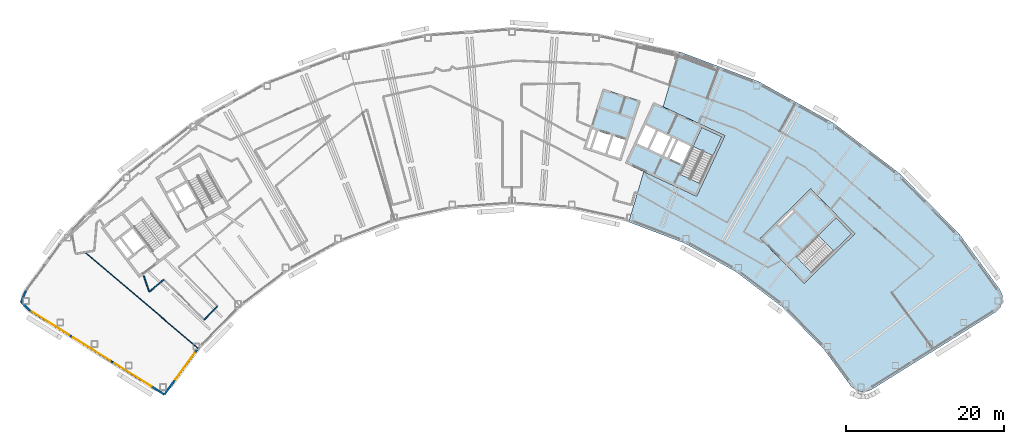
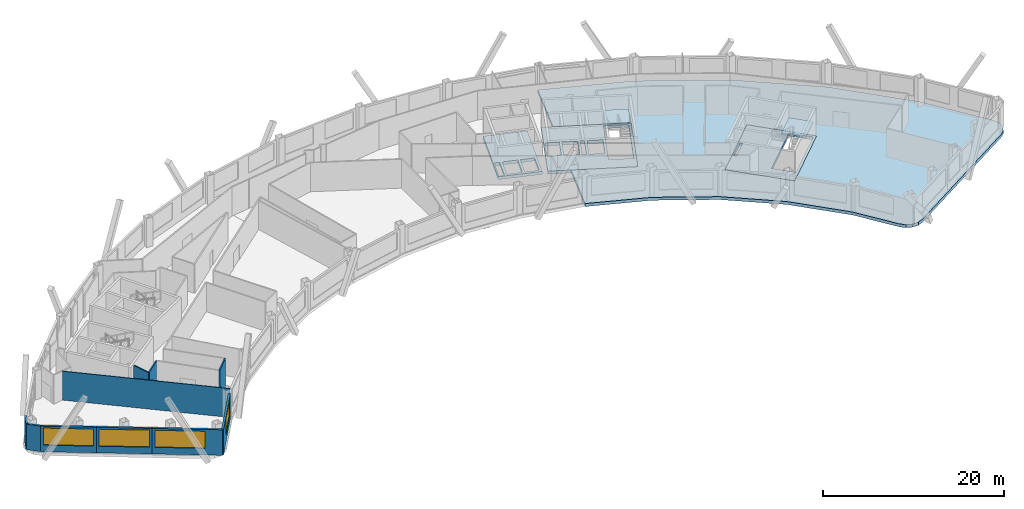
# One storey, part 4 of 13: 10 walls, 6 slabs, 4 windows, 4 openings, 2 elements without a shape of their own.
"""IFC4 building model written with IfcOpenShell, lengths in metres."""

from ifc_helpers import new_model, si_unit, direction, frame, frame_2d, origin, place, context, subcontext, project, spatial, polyline, rectangle, outline, extrude, material, layer, layer_set, type_object, element, fill, aggregate, save


model = new_model("IFC4")

# Units and contexts
model_context = context("Model", 3, precision=1e-05, world=origin(), true_north=direction((0.0, 1.0)))
body_context = subcontext(model_context, "Body", "Model", "MODEL_VIEW")
ifc_project = project(units=[si_unit("LENGTHUNIT", "METRE"), si_unit("AREAUNIT", "SQUARE_METRE"), si_unit("VOLUMEUNIT", "CUBIC_METRE"), si_unit("PLANEANGLEUNIT", "RADIAN"), si_unit("MASSUNIT", "GRAM", prefix="KILO")], contexts=[model_context])

# Site, building, storey
site_placement = place(None, origin())
site = spatial("IfcSite", under=ifc_project, at=site_placement, CompositionType="ELEMENT")
building_placement = place(site_placement, origin())
building = spatial("IfcBuilding", under=site, at=building_placement, Name="Tuul Gate Civic Tower", CompositionType="ELEMENT")
storey_placement = place(building_placement, frame((0.0, 0.0, 248.39990234375)))
storey = spatial("IfcBuildingStorey", under=building, at=storey_placement, Name="Level 56", CompositionType="ELEMENT", Elevation=248.39990234375)

# Slabs
ifc_material_1 = material(Name="Concrete C40/50", Category="concrete")
ifc_layer_1 = layer(ifc_material_1, 0.39990234375)
ifc_layer_set_1 = layer_set([ifc_layer_1], Name="Concrete C40/50")
slab_type_1 = type_object("IfcSlabType", Name="Core floor slab 400", PredefinedType="FLOOR", material=ifc_layer_set_1)
slab_1_placement = place(storey_placement, frame((0.0, 0.0, -0.400146484375)))
element("IfcSlab", 1, at=slab_1_placement, inside=storey, type_object=slab_type_1, Name="FLOOR SLAB", PredefinedType="FLOOR", context=body_context, shape_type="SweptSolid", body=[
    extrude(outline(polyline([(48.117919921875, -18.43310546875), (54.545166015625, -12.1328125), (48.945068359375, -6.419921875), (42.517822265625, -12.719970703125), (48.117919921875, -18.43310546875)]), holes=[polyline([(44.93896484375, -11.046875), (46.760009765625, -9.261962890625), (46.514892578125, -9.011962890625), (44.69384765625, -10.797119140625), (44.93896484375, -11.046875)]), polyline([(49.086181640625, -17.062744140625), (47.12744140625, -15.064208984375), (52.160888671875, -10.130126953125), (54.11962890625, -12.128662109375), (49.086181640625, -17.062744140625)])]), origin(), (0.0, 0.0, 1.0), 0.400146484375),
])
slab_2_placement = place(storey_placement, frame((0.0, 0.0, -0.400146484375)))
element("IfcSlab", 2, at=slab_2_placement, inside=storey, type_object=slab_type_1, Name="FLOOR SLAB", PredefinedType="FLOOR", context=body_context, shape_type="SweptSolid", body=[
    extrude(outline(polyline([(34.465087890625, -7.385986328125), (38.056884765625, 0.31787109375), (28.993896484375, 4.543701171875), (25.40185546875, -3.159912109375), (34.465087890625, -7.385986328125)]), holes=[polyline([(32.60888671875, -3.32080078125), (33.6865234375, -1.009765625), (32.1005859375, -0.27001953125), (31.02294921875, -2.581298828125), (32.60888671875, -3.32080078125)]), polyline([(30.0712890625, -2.137451171875), (31.14892578125, 0.173583984375), (29.562744140625, 0.9130859375), (28.4853515625, -1.39794921875), (30.0712890625, -2.137451171875)]), polyline([(30.751220703125, -2.454345703125), (31.82861328125, -0.143310546875), (31.4208984375, 0.046875), (30.34326171875, -2.264404296875), (30.751220703125, -2.454345703125)]), polyline([(28.21337890625, -1.27099609375), (29.291015625, 1.0400390625), (27.8408203125, 1.71630859375), (26.76318359375, -0.594970703125), (28.21337890625, -1.27099609375)]), polyline([(34.889892578125, -5.7626953125), (32.353759765625, -4.580078125), (35.120849609375, 1.354736328125), (37.6572265625, 0.17236328125), (34.889892578125, -5.7626953125)])]), origin(), (0.0, 0.0, 1.0), 0.400146484375),
])
ifc_material_2 = material(Name="Concrete C40/50", Category="concrete")
ifc_layer_2 = layer(ifc_material_2, 0.39990234375)
ifc_layer_set_2 = layer_set([ifc_layer_2], Name="Concrete C40/50")
slab_type_2 = type_object("IfcSlabType", Name="Core floor slab 400 non-bearing", PredefinedType="FLOOR", material=ifc_layer_set_2)
slab_3_placement = place(storey_placement, frame((0.0, 0.0, -0.400146484375)))
element("IfcSlab", 3, at=slab_3_placement, inside=storey, type_object=slab_type_2, Name="FLOOR SLAB", PredefinedType="FLOOR", context=body_context, shape_type="SweptSolid", body=[
    extrude(outline(polyline([(24.864990234375, -2.888916015625), (27.337890625, 4.71923828125), (22.58251953125, 6.264404296875), (20.109619140625, -1.343994140625), (24.864990234375, -2.888916015625)]), holes=[polyline([(24.67236328125, -2.510986328125), (25.414306640625, -0.228515625), (23.892578125, 0.265869140625), (23.150634765625, -2.0166015625), (24.67236328125, -2.510986328125)]), polyline([(22.865478515625, -1.923828125), (23.607177734375, 0.358642578125), (21.94287109375, 0.8994140625), (21.201171875, -1.383056640625), (22.865478515625, -1.923828125)]), polyline([(20.869384765625, -1.43310546875), (21.65771484375, 0.9921875), (21.0869140625, 1.177490234375), (20.298583984375, -1.24755859375), (20.869384765625, -1.43310546875)])]), origin(), (0.0, 0.0, 1.0), 0.400146484375),
])

# Stair, slab
ifc_material_3 = material(Name="Concrete C40/50", Category="concrete")
stair_type = type_object("IfcStairType", Name="Exit stair", PredefinedType="HALF_TURN_STAIR", material=ifc_material_3)
stair_1_placement = place(storey_placement, origin())
stair_1 = element("IfcStair", 4, at=stair_1_placement, inside=storey, type_object=stair_type, Name="Level 56 ST-3", PredefinedType="HALF_TURN_STAIR")
ifc_material_4 = material(Name="Concrete C40/50", Category="concrete")
ifc_layer_3 = layer(ifc_material_4, 0.199951171875)
ifc_layer_set_3 = layer_set([ifc_layer_3], Name="Concrete C40/50")
slab_type_3 = type_object("IfcSlabType", Name="Exit stair landing", PredefinedType="LANDING", material=ifc_layer_set_3)
slab_4_placement = place(storey_placement, frame((0.0, 0.0, 1.900146484375)))
slab_4 = element("IfcSlab", 5, at=slab_4_placement, type_object=slab_type_3, Name="ST-3 landing 1", PredefinedType="LANDING", context=body_context, shape_type="SweptSolid", body=[
    extrude(outline(polyline([(51.871337890625, -14.3349609375), (49.91015625, -12.334228515625), (52.160888671875, -10.1279296875), (54.1220703125, -12.128662109375), (51.871337890625, -14.3349609375)])), origin(), (0.0, 0.0, 1.0), 0.199951171875),
])
aggregate(stair_1, [slab_4])

stair_2_placement = place(storey_placement, origin())
stair_2 = element("IfcStair", 6, at=stair_2_placement, inside=storey, type_object=stair_type, Name="Level 56 ST-4", PredefinedType="HALF_TURN_STAIR")
slab_5_placement = place(storey_placement, frame((0.0, 0.0, 1.900146484375)))
slab_5 = element("IfcSlab", 7, at=slab_5_placement, type_object=slab_type_3, Name="ST-4 landing 1", PredefinedType="LANDING", context=body_context, shape_type="SweptSolid", body=[
    extrude(outline(polyline([(36.538818359375, -2.230224609375), (33.999755859375, -1.046142578125), (35.1201171875, 1.35693359375), (37.659423828125, 0.173095703125), (36.538818359375, -2.230224609375)])), origin(), (0.0, 0.0, 1.0), 0.199951171875),
])
aggregate(stair_2, [slab_5])

# Slab
ifc_material_5 = material(Name="Concrete C35/45", Category="concrete")
ifc_layer_4 = layer(ifc_material_5, 0.39990234375)
ifc_layer_set_4 = layer_set([ifc_layer_4], Name="Concrete C35/45")
slab_type_4 = type_object("IfcSlabType", Name="STR-FLOOR-SLAB-400", PredefinedType="FLOOR", material=ifc_layer_set_4)
slab_6_placement = place(storey_placement, frame((0.0, 0.0, -0.400146484375)))
element("IfcSlab", 8, at=slab_6_placement, inside=storey, type_object=slab_type_4, Name="Level 56/slab/E", PredefinedType="FLOOR", context=body_context, shape_type="SweptSolid", body=[
    extrude(outline(polyline([(55.962890625, -32.18408203125), (56.656982421875, -31.9140625), (72.386962890625, -22.0849609375), (72.97607421875, -21.52001953125), (73.291015625, -20.76806640625), (73.279052734375, -19.951904296875), (72.94189453125, -19.208984375), (67.862060546875, -12.2529296875), (60.325927734375, -4.56591796875), (51.761962890625, 1.955078125), (42.347900390625, 7.174072265625), (32.279052734375, 10.98095703125), (30.197021484375, 3.98291015625), (38.056884765625, 0.318115234375), (34.465087890625, -7.385986328125), (27.74609375, -4.2529296875), (25.844970703125, -10.64111328125), (32.864990234375, -13.294921875), (39.428955078125, -16.93408203125), (45.39990234375, -21.47998046875), (50.653076171875, -26.839111328125), (53.98193359375, -31.39697265625), (54.52587890625, -31.906982421875), (55.218017578125, -32.181884765625), (55.962890625, -32.18408203125)]), holes=[polyline([(48.117919921875, -18.43310546875), (42.51806640625, -12.719970703125), (48.945068359375, -6.419921875), (54.544921875, -12.133056640625), (48.117919921875, -18.43310546875)])]), origin(), (0.0, 0.0, 1.0), 0.400146484375),
])

# Walls
ifc_material_6 = material(Name="Gypsum board partition")
ifc_layer_5 = layer(ifc_material_6, 0.14990234375)
ifc_layer_set_5 = layer_set([ifc_layer_5], Name="Gypsum board partition")
wall_type_1 = type_object("IfcWallType", Name="Corridor wall P150", PredefinedType="PARTITIONING", material=ifc_layer_set_5)
wall_1_placement = place(storey_placement, frame((-35.001708984375, -19.499755859375, 0.0), z_axis=(0.0, 0.0, 1.0), x_axis=(0.766360951532, 0.642410220939, 0.0)))
element("IfcWall", 9, at=wall_1_placement, inside=storey, type_object=wall_type_1, Name="p059", PredefinedType="PARTITIONING", context=body_context, shape_type="SweptSolid", body=[
    extrude(rectangle(XDim=2.403076171875, YDim=0.14990234375, at=frame_2d((1.20166015625, 0.0))), origin(), (0.0, 0.0, 1.0), 3.900146484375),
])
wall_2_placement = place(storey_placement, frame((-35.696044921875, -17.4775390625, 0.0), z_axis=(0.0, 0.0, 1.0), x_axis=(0.324540359242, -0.94587184926, 0.0)))
element("IfcWall", 10, at=wall_2_placement, inside=storey, type_object=wall_type_1, Name="p076", PredefinedType="PARTITIONING", context=body_context, shape_type="SweptSolid", body=[
    extrude(rectangle(XDim=2.137939453125, YDim=0.14990234375, at=frame_2d((1.06884765625, 0.0))), origin(), (0.0, 0.0, 1.0), 3.900146484375),
])
wall_3_placement = place(storey_placement, frame((-28.0419921875, -23.047607421875, 0.0), z_axis=(0.0, 0.0, 1.0), x_axis=(0.707106781187, 0.707106781187, 0.0)))
element("IfcWall", 11, at=wall_3_placement, inside=storey, type_object=wall_type_1, Name="p078", PredefinedType="PARTITIONING", context=body_context, shape_type="SweptSolid", body=[
    extrude(rectangle(XDim=2.39892578125, YDim=0.14990234375, at=frame_2d((1.199462890625, 0.0))), origin(), (0.0, 0.0, 1.0), 3.900146484375),
])
ifc_material_7 = material(Name="Precast concrete C40/50", Category="concrete")
ifc_layer_6 = layer(ifc_material_7, 0.25)
ifc_layer_set_6 = layer_set([ifc_layer_6], Name="Precast concrete C40/50")
wall_type_2 = type_object("IfcWallType", Name="External wall", PredefinedType="STANDARD", material=ifc_layer_set_6)
wall_4_placement = place(storey_placement, frame((-50.645263671875, -19.3486328125, 0.0), z_axis=(0.0, 0.0, 1.0), x_axis=(-0.412995937313, -0.9107328674, 0.0)))
element("IfcWall", 12, at=wall_4_placement, inside=storey, type_object=wall_type_2, Name="External wall", PredefinedType="STANDARD", context=body_context, shape_type="SweptSolid", body=[
    extrude(rectangle(XDim=1.572998046875, YDim=0.25, at=frame_2d((0.78662109375, 0.0))), origin(), (0.0, 0.0, 1.0), 3.4501953125),
])
wall_5_placement = place(storey_placement, frame((-51.294921875, -20.78125, 0.0), z_axis=(0.0, 0.0, 1.0), x_axis=(0.722783622894, -0.69107440589, 0.0)))
element("IfcWall", 13, at=wall_5_placement, inside=storey, type_object=wall_type_2, Name="External wall", PredefinedType="STANDARD", context=body_context, shape_type="SweptSolid", body=[
    extrude(rectangle(XDim=1.570556640625, YDim=0.25, at=frame_2d((0.78515625, 0.0))), origin(), (0.0, 0.0, 1.0), 3.4501953125),
])

# Wall, opening, window
wall_6_placement = place(storey_placement, frame((-50.1796875, -21.85107421875, 0.0), z_axis=(0.0, 0.0, 1.0), x_axis=(0.848024923451, -0.529956346509, 0.0)))
wall_6 = element("IfcWall", 14, at=wall_6_placement, inside=storey, type_object=wall_type_2, Name="External wall", PredefinedType="STANDARD", context=body_context, shape_type="SweptSolid", body=[
    extrude(rectangle(XDim=6.182861328125, YDim=0.25, at=frame_2d((3.09130859375, 0.0))), origin(), (0.0, 0.0, 1.0), 3.4501953125),
])
opening_1_placement = place(wall_6_placement, frame((0.31640625, 0.0, 0.89990234375)))
opening_1 = element("IfcOpeningElement", 15, at=opening_1_placement, cuts=wall_6, Name="Opening W24", PredefinedType="OPENING", context=body_context, shape_type="SweptSolid", body=[
    extrude(rectangle(XDim=5.550048828125, YDim=2.300048828125, at=frame_2d((2.77490234375, 1.14990234375))), frame((0.0, 0.135009765625, 0.0), z_axis=(0.0, -1.0, 0.0), x_axis=(1.0, 0.0, 0.0)), (0.0, 0.0, 1.0), 0.27001953125),
])
ifc_material_8 = material(Name="Glass", Category="glass")
window_type_1 = type_object("IfcWindowType", Name="Window W24 5550 x 2300", PartitioningType="SINGLE_PANEL", PredefinedType="WINDOW", material=ifc_material_8)
window_1_placement = place(opening_1_placement, origin())
window_1 = element("IfcWindow", 16, at=window_1_placement, inside=storey, type_object=window_type_1, Name="Window", OverallHeight=2.300048828125, OverallWidth=5.550048828125, PartitioningType="SINGLE_PANEL", PredefinedType="WINDOW", context=body_context, shape_type="SweptSolid", body=[
    extrude(rectangle(XDim=5.550048828125, YDim=2.300048828125, at=frame_2d((2.77490234375, 1.14990234375))), frame((0.0, 0.030029296875, 0.0), z_axis=(0.0, -1.0, 0.0), x_axis=(1.0, 0.0, 0.0)), (0.0, 0.0, 1.0), 0.06005859375),
])
fill(opening_1, window_1)

wall_7_placement = place(storey_placement, frame((-44.9365234375, -25.127685546875, 0.0), z_axis=(0.0, 0.0, 1.0), x_axis=(0.848036012993, -0.529938600846, 0.0)))
wall_7 = element("IfcWall", 17, at=wall_7_placement, inside=storey, type_object=wall_type_2, Name="External wall", PredefinedType="STANDARD", context=body_context, shape_type="SweptSolid", body=[
    extrude(rectangle(XDim=6.18310546875, YDim=0.25, at=frame_2d((3.091552734375, 0.0))), origin(), (0.0, 0.0, 1.0), 3.4501953125),
])
opening_2_placement = place(wall_7_placement, frame((0.31640625, 0.0, 0.89990234375)))
opening_2 = element("IfcOpeningElement", 18, at=opening_2_placement, cuts=wall_7, Name="Opening W24", PredefinedType="OPENING", context=body_context, shape_type="SweptSolid", body=[
    extrude(rectangle(XDim=5.550048828125, YDim=2.300048828125, at=frame_2d((2.77490234375, 1.14990234375))), frame((0.0, 0.135009765625, 0.0), z_axis=(0.0, -1.0, 0.0), x_axis=(1.0, 0.0, 0.0)), (0.0, 0.0, 1.0), 0.27001953125),
])
window_2_placement = place(opening_2_placement, origin())
window_2 = element("IfcWindow", 19, at=window_2_placement, inside=storey, type_object=window_type_1, Name="Window", OverallHeight=2.300048828125, OverallWidth=5.550048828125, PartitioningType="SINGLE_PANEL", PredefinedType="WINDOW", context=body_context, shape_type="SweptSolid", body=[
    extrude(rectangle(XDim=5.550048828125, YDim=2.300048828125, at=frame_2d((2.77490234375, 1.14990234375))), frame((0.0, 0.030029296875, 0.0), z_axis=(0.0, -1.0, 0.0), x_axis=(1.0, 0.0, 0.0)), (0.0, 0.0, 1.0), 0.06005859375),
])
fill(opening_2, window_2)

wall_8_placement = place(storey_placement, frame((-39.693115234375, -28.404296875, 0.0), z_axis=(0.0, 0.0, 1.0), x_axis=(0.848019436648, -0.529965126274, 0.0)))
wall_8 = element("IfcWall", 20, at=wall_8_placement, inside=storey, type_object=wall_type_2, Name="External wall", PredefinedType="STANDARD", context=body_context, shape_type="SweptSolid", body=[
    extrude(rectangle(XDim=7.7880859375, YDim=0.25, at=frame_2d((3.89404296875, 0.0))), origin(), (0.0, 0.0, 1.0), 3.4501953125),
])
opening_3_placement = place(wall_8_placement, frame((0.31640625, 0.0, 0.89990234375)))
opening_3 = element("IfcOpeningElement", 21, at=opening_3_placement, cuts=wall_8, Name="Opening W24", PredefinedType="OPENING", context=body_context, shape_type="SweptSolid", body=[
    extrude(rectangle(XDim=5.550048828125, YDim=2.300048828125, at=frame_2d((2.77490234375, 1.14990234375))), frame((0.0, 0.135009765625, 0.0), z_axis=(0.0, -1.0, 0.0), x_axis=(1.0, 0.0, 0.0)), (0.0, 0.0, 1.0), 0.27001953125),
])
window_3_placement = place(opening_3_placement, origin())
window_3 = element("IfcWindow", 22, at=window_3_placement, inside=storey, type_object=window_type_1, Name="Window", OverallHeight=2.300048828125, OverallWidth=5.550048828125, PartitioningType="SINGLE_PANEL", PredefinedType="WINDOW", context=body_context, shape_type="SweptSolid", body=[
    extrude(rectangle(XDim=5.550048828125, YDim=2.300048828125, at=frame_2d((2.77490234375, 1.14990234375))), frame((0.0, 0.030029296875, 0.0), z_axis=(0.0, -1.0, 0.0), x_axis=(1.0, 0.0, 0.0)), (0.0, 0.0, 1.0), 0.06005859375),
])
fill(opening_3, window_3)

wall_9_placement = place(storey_placement, frame((-33.088623046875, -32.53173828125, 0.0), z_axis=(0.0, 0.0, 1.0), x_axis=(0.589734649771, 0.807597079526, 0.0)))
wall_9 = element("IfcWall", 23, at=wall_9_placement, inside=storey, type_object=wall_type_2, Name="External wall", PredefinedType="STANDARD", context=body_context, shape_type="SweptSolid", body=[
    extrude(rectangle(XDim=7.03515625, YDim=0.25, at=frame_2d((3.517578125, 0.0))), origin(), (0.0, 0.0, 1.0), 3.4501953125),
])
opening_4_placement = place(wall_9_placement, frame((2.357666015625, 0.0, 0.89990234375)))
opening_4 = element("IfcOpeningElement", 24, at=opening_4_placement, cuts=wall_9, Name="Opening W25", PredefinedType="OPENING", context=body_context, shape_type="SweptSolid", body=[
    extrude(rectangle(XDim=4.14990234375, YDim=2.300048828125, at=frame_2d((2.074951171875, 1.14990234375))), frame((0.0, 0.135009765625, 0.0), z_axis=(0.0, -1.0, 0.0), x_axis=(1.0, 0.0, 0.0)), (0.0, 0.0, 1.0), 0.27001953125),
])
ifc_material_9 = material(Name="Glass", Category="glass")
window_type_2 = type_object("IfcWindowType", Name="Window W25 4150 x 2300", PartitioningType="SINGLE_PANEL", PredefinedType="WINDOW", material=ifc_material_9)
window_4_placement = place(opening_4_placement, origin())
window_4 = element("IfcWindow", 25, at=window_4_placement, inside=storey, type_object=window_type_2, Name="Window", OverallHeight=2.300048828125, OverallWidth=4.14990234375, PartitioningType="SINGLE_PANEL", PredefinedType="WINDOW", context=body_context, shape_type="SweptSolid", body=[
    extrude(rectangle(XDim=4.14990234375, YDim=2.300048828125, at=frame_2d((2.074951171875, 1.14990234375))), frame((0.0, 0.030029296875, 0.0), z_axis=(0.0, -1.0, 0.0), x_axis=(1.0, 0.0, 0.0)), (0.0, 0.0, 1.0), 0.06005859375),
])
fill(opening_4, window_4)

# Wall
ifc_material_10 = material(Name="Gypsum board partition")
ifc_layer_7 = layer(ifc_material_10, 0.10009765625)
ifc_layer_set_7 = layer_set([ifc_layer_7], Name="Gypsum board partition")
wall_type_3 = type_object("IfcWallType", Name="Partition P100", PredefinedType="PARTITIONING", material=ifc_layer_set_7)
wall_10_placement = place(storey_placement, frame((-43.16748046875, -14.48388671875, 0.0), z_axis=(0.0, 0.0, 1.0), x_axis=(0.762823112028, -0.646607222165, 0.0)))
element("IfcWall", 26, at=wall_10_placement, inside=storey, type_object=wall_type_3, Name="p038", PredefinedType="PARTITIONING", context=body_context, shape_type="SweptSolid", body=[
    extrude(rectangle(XDim=18.83740234375, YDim=0.10009765625, at=frame_2d((9.418701171875, 0.0))), origin(), (0.0, 0.0, 1.0), 3.900146484375),
])

save(model, "model.ifc")
